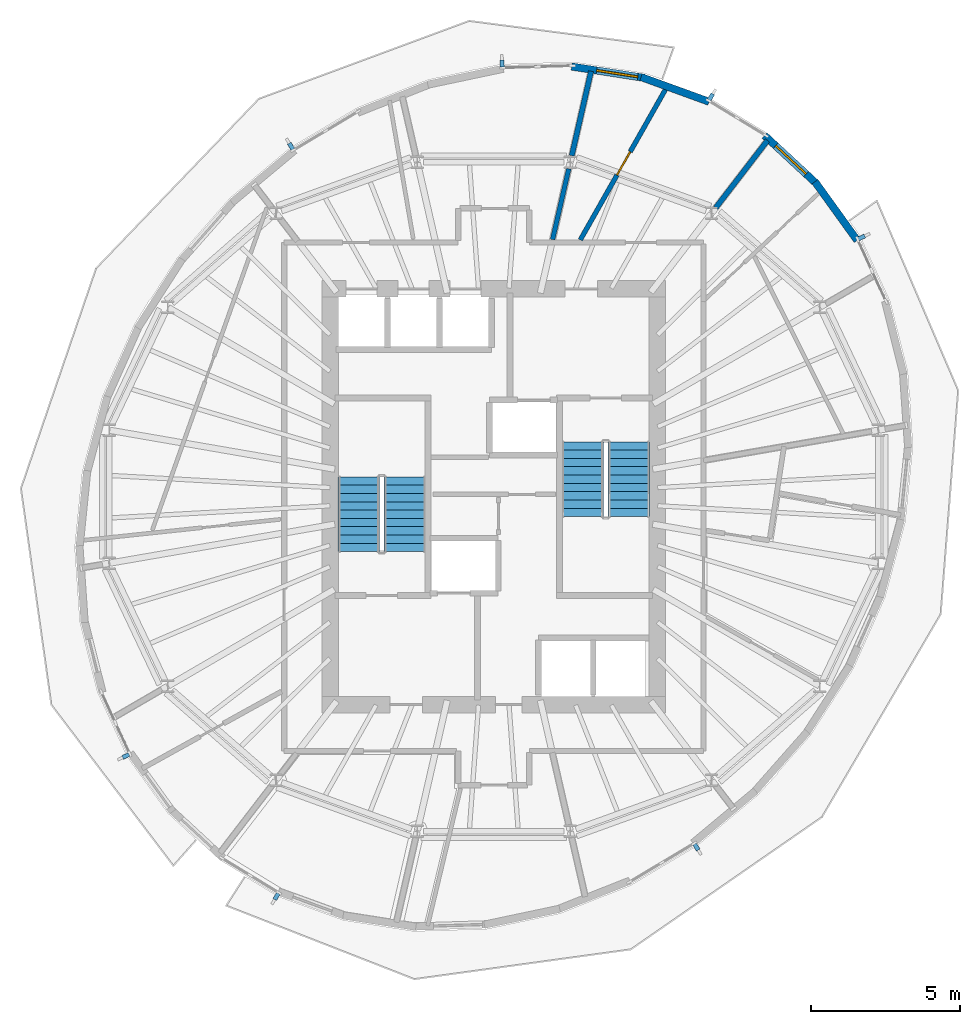
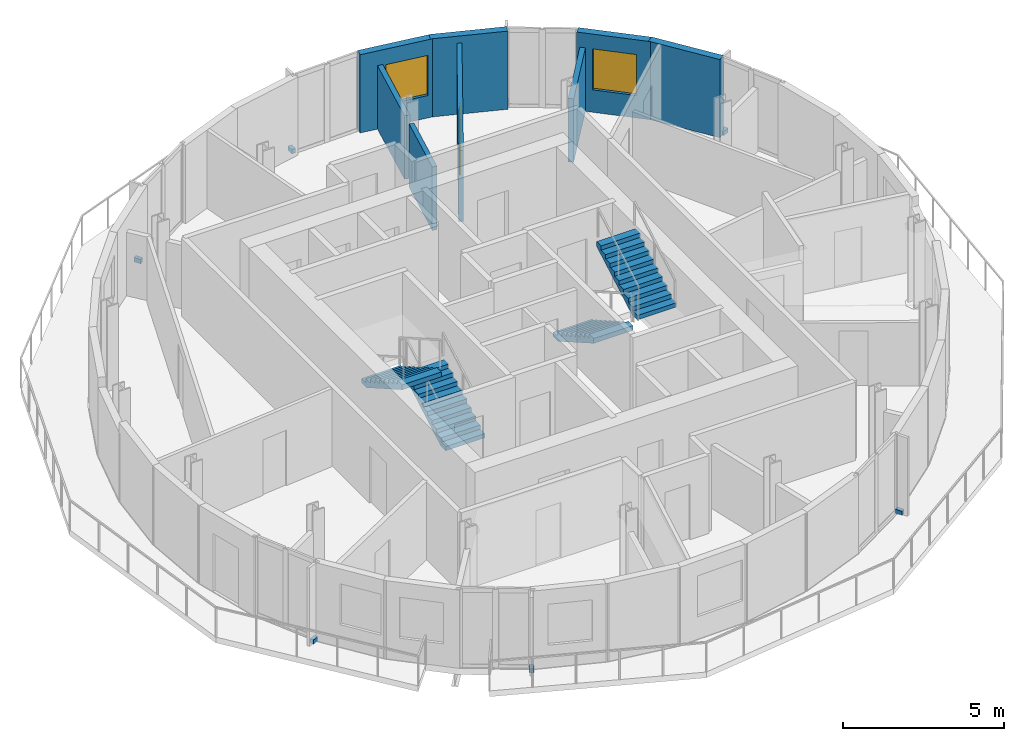
# One storey, part 7 of 11: 8 walls, 7 discrete accessories, 4 stair flights, 2 windows, 1 door, 3 openings, 2 elements without a shape of their own.
"""IFC4 building model written with IfcOpenShell, lengths in metres."""

from ifc_helpers import new_model, si_unit, direction, frame, frame_2d, origin, origin_2d, place, context, subcontext, project, spatial, polyline, rectangle, outline, extrude, material, layer, layer_set, type_object, element, fill, aggregate, save


model = new_model("IFC4")

# Units and contexts
model_context = context("Model", 3, precision=1e-05, world=origin(), true_north=direction((0.0, 1.0)))
body_context = subcontext(model_context, "Body", "Model", "MODEL_VIEW")
ifc_project = project(units=[si_unit("LENGTHUNIT", "METRE"), si_unit("AREAUNIT", "SQUARE_METRE"), si_unit("VOLUMEUNIT", "CUBIC_METRE"), si_unit("PLANEANGLEUNIT", "RADIAN"), si_unit("MASSUNIT", "GRAM", prefix="KILO")], contexts=[model_context])

# Site, building, storey
site_placement = place(None, origin())
site = spatial("IfcSite", under=ifc_project, at=site_placement, CompositionType="ELEMENT")
building_placement = place(site_placement, origin())
building = spatial("IfcBuilding", under=site, at=building_placement, Name="Veldorim Arch Residences", CompositionType="ELEMENT")
storey_placement = place(building_placement, frame((0.0, 0.0, 217.43994140625)))
storey = spatial("IfcBuildingStorey", under=building, at=storey_placement, Name="L65", CompositionType="ELEMENT", Elevation=217.43994140625)

# Walls
ifc_material_1 = material(Name="Lightweight Masonry Block & Gypsum", Category="masonry")
ifc_layer_1 = layer(ifc_material_1, 0.179931640625, Name="Compartment & Corridor Fire-Rated Party Wall 180")
ifc_layer_set_1 = layer_set([ifc_layer_1], Name="Lightweight Masonry Block & Gypsum")
wall_type_1 = type_object("IfcWallType", Name="Compartment & Corridor Fire-Rated Party Wall 180", PredefinedType="PARTITIONING", material=ifc_layer_set_1)
wall_1_placement = place(storey_placement, frame((39.473388671875, 33.727294921875, 0.0), z_axis=(0.0, 0.0, 1.0), x_axis=(0.609244614772, 0.792982344931, 0.0)))
element("IfcWall", 1, at=wall_1_placement, inside=storey, type_object=wall_type_1, Name="L65 interior wall WL-PIER-L65-03", PredefinedType="PARTITIONING", context=body_context, shape_type="SweptSolid", body=[
    extrude(rectangle(XDim=2.86083984375, YDim=0.179931640625, at=frame_2d((1.430419921875, 0.0))), origin(), (0.0, 0.0, 1.0), 2.403564453125),
])
wall_2_placement = place(storey_placement, frame((34.62646484375, 35.483154296875, 0.0), z_axis=(0.0, 0.0, 1.0), x_axis=(0.222945280676, 0.974830960641, 0.0)))
element("IfcWall", 2, at=wall_2_placement, inside=storey, type_object=wall_type_1, Name="L65 interior wall WL-PIER-L65-04", PredefinedType="PARTITIONING", context=body_context, shape_type="SweptSolid", body=[
    extrude(rectangle(XDim=2.916259765625, YDim=0.179931640625, at=frame_2d((1.4580078125, 0.0))), origin(), (0.0, 0.0, 1.0), 2.403564453125),
])
ifc_material_2 = material(Name="Precast concrete C40/50", Category="concrete")
ifc_layer_2 = layer(ifc_material_2, 0.25, Name="Tower Terracotta Spandrel & Pier Wall 250")
ifc_layer_set_2 = layer_set([ifc_layer_2], Name="Precast concrete C40/50")
wall_type_2 = type_object("IfcWallType", Name="Tower Terracotta Spandrel & Pier Wall 250", PredefinedType="SOLIDWALL", material=ifc_layer_set_2)
wall_3_placement = place(storey_placement, frame((36.960205078125, 38.1298828125, 0.0), z_axis=(0.0, 0.0, 1.0), x_axis=(0.939954186413, -0.341300640851, 0.0)))
element("IfcWall", 3, at=wall_3_placement, inside=storey, type_object=wall_type_2, Name="L65 terracotta facade wall 02", PredefinedType="SOLIDWALL", context=body_context, shape_type="SweptSolid", body=[
    extrude(rectangle(XDim=2.43701171875, YDim=0.25, at=frame_2d((1.218505859375, 0.0))), origin(), (0.0, 0.0, 1.0), 2.9599609375),
])

# Wall, opening, window
wall_4_placement = place(storey_placement, frame((34.622314453125, 38.483642578125, 0.0), z_axis=(0.0, 0.0, 1.0), x_axis=(0.988040195026, -0.154196540209, 0.0)))
wall_4 = element("IfcWall", 4, at=wall_4_placement, inside=storey, type_object=wall_type_2, Name="L65 terracotta facade wall 03", PredefinedType="SOLIDWALL", context=body_context, shape_type="SweptSolid", body=[
    extrude(rectangle(XDim=2.477783203125, YDim=0.25, at=frame_2d((1.23876953125, 0.0))), origin(), (0.0, 0.0, 1.0), 2.9599609375),
])
opening_1_placement = place(wall_4_placement, frame((0.85107421875, 0.0, 0.85009765625)))
opening_1 = element("IfcOpeningElement", 5, at=opening_1_placement, cuts=wall_4, Name="Opening WN-02", PredefinedType="OPENING", context=body_context, shape_type="SweptSolid", body=[
    extrude(rectangle(XDim=1.39990234375, YDim=1.52001953125, at=frame_2d((0.699951171875, 0.760009765625))), frame((0.0, 0.135009765625, 0.0), z_axis=(0.0, -1.0, 0.0), x_axis=(1.0, 0.0, 0.0)), (0.0, 0.0, 1.0), 0.27001953125),
])
ifc_material_3 = material(Name="Laminated Low-E Glass", Category="glass")
window_type = type_object("IfcWindowType", Name="Residential Casement Window 1400x1550", PartitioningType="SINGLE_PANEL", PredefinedType="WINDOW", material=ifc_material_3)
window_1_placement = place(opening_1_placement, origin())
window_1 = element("IfcWindow", 6, at=window_1_placement, inside=storey, type_object=window_type, Name="L65 solar-control facade window 03", OverallHeight=1.52001953125, OverallWidth=1.39990234375, PartitioningType="SINGLE_PANEL", PredefinedType="WINDOW", context=body_context, shape_type="SweptSolid", body=[
    extrude(rectangle(XDim=1.39990234375, YDim=1.52001953125, at=frame_2d((0.699951171875, 0.760009765625))), frame((0.0, 0.030029296875, 0.0), z_axis=(0.0, -1.0, 0.0), x_axis=(1.0, 0.0, 0.0)), (0.0, 0.0, 1.0), 0.06005859375),
])
fill(opening_1, window_1)

# Wall
wall_5_placement = place(storey_placement, frame((42.814208984375, 34.60546875, 0.0), z_axis=(0.0, 0.0, 1.0), x_axis=(0.584824573101, -0.811159798497, 0.0)))
element("IfcWall", 7, at=wall_5_placement, inside=storey, type_object=wall_type_2, Name="L65 terracotta facade wall 35", PredefinedType="SOLIDWALL", context=body_context, shape_type="SweptSolid", body=[
    extrude(rectangle(XDim=2.436767578125, YDim=0.25, at=frame_2d((1.21826171875, 0.0))), origin(), (0.0, 0.0, 1.0), 2.9599609375),
])

# Wall, opening, window
wall_6_placement = place(storey_placement, frame((41.118896484375, 36.1611328125, 0.0), z_axis=(0.0, 0.0, 1.0), x_axis=(0.733441361842, -0.679752726173, 0.0)))
wall_6 = element("IfcWall", 8, at=wall_6_placement, inside=storey, type_object=wall_type_2, Name="L65 terracotta facade wall 36", PredefinedType="SOLIDWALL", context=body_context, shape_type="SweptSolid", body=[
    extrude(rectangle(XDim=2.41455078125, YDim=0.25, at=frame_2d((1.207275390625, 0.0))), origin(), (0.0, 0.0, 1.0), 2.9599609375),
])
opening_2_placement = place(wall_6_placement, frame((0.507080078125, 0.0, 0.85009765625)))
opening_2 = element("IfcOpeningElement", 9, at=opening_2_placement, cuts=wall_6, Name="Opening WN-02", PredefinedType="OPENING", context=body_context, shape_type="SweptSolid", body=[
    extrude(rectangle(XDim=1.39990234375, YDim=1.550048828125, at=frame_2d((0.699951171875, 0.77490234375))), frame((0.0, 0.135009765625, 0.0), z_axis=(0.0, -1.0, 0.0), x_axis=(1.0, 0.0, 0.0)), (0.0, 0.0, 1.0), 0.27001953125),
])
window_2_placement = place(opening_2_placement, origin())
window_2 = element("IfcWindow", 10, at=window_2_placement, inside=storey, type_object=window_type, Name="L65 solar-control facade window 36", OverallHeight=1.550048828125, OverallWidth=1.39990234375, PartitioningType="SINGLE_PANEL", PredefinedType="WINDOW", context=body_context, shape_type="SweptSolid", body=[
    extrude(rectangle(XDim=1.39990234375, YDim=1.550048828125, at=frame_2d((0.699951171875, 0.77490234375))), frame((0.0, 0.030029296875, 0.0), z_axis=(0.0, -1.0, 0.0), x_axis=(1.0, 0.0, 0.0)), (0.0, 0.0, 1.0), 0.06005859375),
])
fill(opening_2, window_2)

# Wall, opening, door
ifc_material_4 = material(Name="Moisture-Resistant Gypsum & Stud", Category="gypsum")
ifc_layer_3 = layer(ifc_material_4, 0.159912109375, Name="Wet-Area Moisture-Resistant Plumbing Wall 160")
ifc_layer_set_3 = layer_set([ifc_layer_3], Name="Moisture-Resistant Gypsum & Stud")
wall_type_3 = type_object("IfcWallType", Name="Wet-Area Moisture-Resistant Plumbing Wall 160", PredefinedType="PLUMBINGWALL", material=ifc_layer_set_3)
wall_7_placement = place(storey_placement, frame((34.91357421875, 32.64697265625, 0.0), z_axis=(0.0, 0.0, 1.0), x_axis=(0.492777372346, 0.870155423648, 0.0)))
wall_7 = element("IfcWall", 11, at=wall_7_placement, inside=storey, type_object=wall_type_3, Name="L65 interior wall WL-RES-L65-022", PredefinedType="PLUMBINGWALL", context=body_context, shape_type="SweptSolid", body=[
    extrude(rectangle(XDim=5.91943359375, YDim=0.159912109375, at=frame_2d((2.959716796875, 0.0))), origin(), (0.0, 0.0, 1.0), 2.692138671875),
])
opening_3_placement = place(wall_7_placement, frame((2.509765625, 0.0, 0.0)))
opening_3 = element("IfcOpeningElement", 12, at=opening_3_placement, cuts=wall_7, Name="Opening DR-WC", PredefinedType="OPENING", context=body_context, shape_type="SweptSolid", body=[
    extrude(rectangle(XDim=0.89990234375, YDim=2.10009765625, at=frame_2d((0.449951171875, 1.050048828125))), frame((0.0, 0.08984375, 0.0), z_axis=(0.0, -1.0, 0.0), x_axis=(1.0, 0.0, 0.0)), (0.0, 0.0, 1.0), 0.179931640625),
])
ifc_material_5 = material(Name="Laminate Timber", Category="wood")
door_type = type_object("IfcDoorType", Name="Bathroom & Accessible WC Moisture-Sealed Door 900x2100", OperationType="SINGLE_SWING_LEFT", PredefinedType="DOOR", material=ifc_material_5)
door_placement = place(opening_3_placement, origin())
door = element("IfcDoor", 13, at=door_placement, inside=storey, type_object=door_type, Name="L65 interior door DR-RES-L65-008", OperationType="SINGLE_SWING_RIGHT", OverallHeight=2.10009765625, OverallWidth=0.89990234375, PredefinedType="DOOR", context=body_context, shape_type="SweptSolid", body=[
    extrude(rectangle(XDim=0.89990234375, YDim=2.10009765625, at=frame_2d((0.449951171875, 1.050048828125))), frame((0.0, 0.02490234375, 0.0), z_axis=(0.0, -1.0, 0.0), x_axis=(1.0, 0.0, 0.0)), (0.0, 0.0, 1.0), 0.050048828125),
])
fill(opening_3, door)

# Wall
wall_8_placement = place(storey_placement, frame((33.97998046875, 32.657470703125, 0.0), z_axis=(0.0, 0.0, 1.0), x_axis=(0.223006482474, 0.974816961678, 0.0)))
element("IfcWall", 14, at=wall_8_placement, inside=storey, type_object=wall_type_3, Name="L65 interior wall WL-RES-L65-024", PredefinedType="PLUMBINGWALL", context=body_context, shape_type="SweptSolid", body=[
    extrude(rectangle(XDim=2.444580078125, YDim=0.159912109375, at=frame_2d((1.22216796875, 0.0))), origin(), (0.0, 0.0, 1.0), 2.403564453125),
])

# Stair, stair flights
ifc_material_6 = material(Name="Concrete C40/50", Category="concrete")
stair_type = type_object("IfcStairType", Name="Reinforced Concrete Dogleg Exit Staircase", PredefinedType="HALF_TURN_STAIR", material=ifc_material_6)
stair_1_placement = place(storey_placement, origin())
stair_1 = element("IfcStair", 15, at=stair_1_placement, inside=storey, type_object=stair_type, Name="L65 Exit Staircase ST-1", PredefinedType="HALF_TURN_STAIR")
ifc_material_7 = material(Name="Concrete C40/50", Category="concrete")
stair_flight_type = type_object("IfcStairFlightType", Name="Reinforced Concrete Stair Flight 1400", PredefinedType="STRAIGHT", material=ifc_material_7)
stair_flight_1_placement = place(storey_placement, frame((29.010009765625, 22.14990234375, 0.0), z_axis=(0.0, 0.0, 1.0), x_axis=(0.0, 1.0, 0.0)))
stair_flight_1 = element("IfcStairFlight", 16, at=stair_flight_1_placement, type_object=stair_flight_type, Name="ST-1 flight 1", NumberOfRisers=10, NumberOfTreads=9, PredefinedType="STRAIGHT", RiserHeight=0.16, TreadLength=0.28, context=body_context, shape_type="SweptSolid", body=[
    extrude(outline(polyline([(0.0, 0.0), (0.0, 0.159912109375), (0.280029296875, 0.159912109375), (0.280029296875, 0.320068359375), (0.56005859375, 0.320068359375), (0.56005859375, 0.47998046875), (0.840087890625, 0.47998046875), (0.840087890625, 0.639892578125), (1.1201171875, 0.639892578125), (1.1201171875, 0.800048828125), (1.39990234375, 0.800048828125), (1.39990234375, 0.9599609375), (1.679931640625, 0.9599609375), (1.679931640625, 1.1201171875), (1.9599609375, 1.1201171875), (1.9599609375, 1.280029296875), (2.239990234375, 1.280029296875), (2.239990234375, 1.43994140625), (2.52001953125, 1.43994140625), (2.52001953125, 1.60009765625), (2.52001953125, 1.255859375), (0.322265625, 0.0), (0.0, 0.0)])), frame((0.0, 0.699951171875, 0.0), z_axis=(0.0, -1.0, 0.0), x_axis=(1.0, 0.0, 0.0)), (0.0, 0.0, 1.0), 1.39990234375),
])
stair_flight_2_placement = place(storey_placement, frame((27.449951171875, 24.669921875, 1.60009765625), z_axis=(0.0, 0.0, 1.0), x_axis=(0.0, -1.0, 0.0)))
stair_flight_2 = element("IfcStairFlight", 17, at=stair_flight_2_placement, type_object=stair_flight_type, Name="ST-1 flight 2", NumberOfRisers=10, NumberOfTreads=9, PredefinedType="STRAIGHT", RiserHeight=0.16, TreadLength=0.28, context=body_context, shape_type="SweptSolid", body=[
    extrude(outline(polyline([(0.0, 0.0), (0.0, 0.159912109375), (0.280029296875, 0.159912109375), (0.280029296875, 0.320068359375), (0.56005859375, 0.320068359375), (0.56005859375, 0.47998046875), (0.840087890625, 0.47998046875), (0.840087890625, 0.639892578125), (1.1201171875, 0.639892578125), (1.1201171875, 0.800048828125), (1.39990234375, 0.800048828125), (1.39990234375, 0.9599609375), (1.679931640625, 0.9599609375), (1.679931640625, 1.1201171875), (1.9599609375, 1.1201171875), (1.9599609375, 1.280029296875), (2.239990234375, 1.280029296875), (2.239990234375, 1.43994140625), (2.52001953125, 1.43994140625), (2.52001953125, 1.60009765625), (2.52001953125, 1.255859375), (0.322265625, 0.0), (0.0, 0.0)])), frame((0.0, 0.699951171875, 0.0), z_axis=(0.0, -1.0, 0.0), x_axis=(1.0, 0.0, 0.0)), (0.0, 0.0, 1.0), 1.39990234375),
])
aggregate(stair_1, [stair_flight_1, stair_flight_2])

stair_2_placement = place(storey_placement, origin())
stair_2 = element("IfcStair", 18, at=stair_2_placement, inside=storey, type_object=stair_type, Name="L65 Exit Staircase ST-2", PredefinedType="HALF_TURN_STAIR")
stair_flight_3_placement = place(storey_placement, frame((34.989990234375, 25.85009765625, 0.0), z_axis=(0.0, 0.0, 1.0), x_axis=(0.0, -1.0, 0.0)))
stair_flight_3 = element("IfcStairFlight", 19, at=stair_flight_3_placement, type_object=stair_flight_type, Name="ST-2 flight 1", NumberOfRisers=10, NumberOfTreads=9, PredefinedType="STRAIGHT", RiserHeight=0.16, TreadLength=0.28, context=body_context, shape_type="SweptSolid", body=[
    extrude(outline(polyline([(0.0, 0.0), (0.0, 0.159912109375), (0.280029296875, 0.159912109375), (0.280029296875, 0.320068359375), (0.56005859375, 0.320068359375), (0.56005859375, 0.47998046875), (0.840087890625, 0.47998046875), (0.840087890625, 0.639892578125), (1.1201171875, 0.639892578125), (1.1201171875, 0.800048828125), (1.39990234375, 0.800048828125), (1.39990234375, 0.9599609375), (1.679931640625, 0.9599609375), (1.679931640625, 1.1201171875), (1.9599609375, 1.1201171875), (1.9599609375, 1.280029296875), (2.239990234375, 1.280029296875), (2.239990234375, 1.43994140625), (2.52001953125, 1.43994140625), (2.52001953125, 1.60009765625), (2.52001953125, 1.255859375), (0.322265625, 0.0), (0.0, 0.0)])), frame((0.0, 0.699951171875, 0.0), z_axis=(0.0, -1.0, 0.0), x_axis=(1.0, 0.0, 0.0)), (0.0, 0.0, 1.0), 1.39990234375),
])
stair_flight_4_placement = place(storey_placement, frame((36.550048828125, 23.330078125, 1.60009765625), z_axis=(0.0, 0.0, 1.0), x_axis=(0.0, 1.0, 0.0)))
stair_flight_4 = element("IfcStairFlight", 20, at=stair_flight_4_placement, type_object=stair_flight_type, Name="ST-2 flight 2", NumberOfRisers=10, NumberOfTreads=9, PredefinedType="STRAIGHT", RiserHeight=0.16, TreadLength=0.28, context=body_context, shape_type="SweptSolid", body=[
    extrude(outline(polyline([(0.0, 0.0), (0.0, 0.159912109375), (0.280029296875, 0.159912109375), (0.280029296875, 0.320068359375), (0.56005859375, 0.320068359375), (0.56005859375, 0.47998046875), (0.840087890625, 0.47998046875), (0.840087890625, 0.639892578125), (1.1201171875, 0.639892578125), (1.1201171875, 0.800048828125), (1.39990234375, 0.800048828125), (1.39990234375, 0.9599609375), (1.679931640625, 0.9599609375), (1.679931640625, 1.1201171875), (1.9599609375, 1.1201171875), (1.9599609375, 1.280029296875), (2.239990234375, 1.280029296875), (2.239990234375, 1.43994140625), (2.52001953125, 1.43994140625), (2.52001953125, 1.60009765625), (2.52001953125, 1.255859375), (0.322265625, 0.0), (0.0, 0.0)])), frame((0.0, 0.699951171875, 0.0), z_axis=(0.0, -1.0, 0.0), x_axis=(1.0, 0.0, 0.0)), (0.0, 0.0, 1.0), 1.39990234375),
])
aggregate(stair_2, [stair_flight_3, stair_flight_4])

# Discrete accessories
ifc_material_8 = material(Name="Stainless Steel", Category="steel")
discrete_accessory_type = type_object("IfcDiscreteAccessoryType", Name="Stainless Steel Facade Fin Anchor Bracket", PredefinedType="BRACKET", material=ifc_material_8)
for number, where, z_axis, x_axis, name in (
    (21, (39.313232421875, 37.460693359375, -0.02001953125), (0.0, 0.0, 1.0), (0.854186693447, -0.519966434242, 0.0), "L65 stainless fin anchor bracket 01"),
    (22, (32.281005859375, 38.58349609375, -0.02001953125), (0.0, 0.0, 1.0), (0.99952286999, 0.030887414385, 0.0), "L65 stainless fin anchor bracket 04"),
    (23, (25.17626953125, 35.79541015625, -0.02001953125), (0.0, 0.0, 1.0), (0.858512728225, 0.512792253721, 0.0), "L65 stainless fin anchor bracket 07"),
    (24, (19.617919921875, 15.271484375, -0.02001953125), (0.0, 0.0, 1.0), (-0.418025632026, 0.908435232127, 0.0), "L65 stainless fin anchor bracket 16"),
    (25, (24.686767578125, 10.539306640625, -0.02001953125), (0.0, 0.0, 1.0), (-0.854186693447, 0.519966434242, 0.0), "L65 stainless fin anchor bracket 19"),
    (26, (38.82373046875, 12.20458984375, -0.02001953125), (0.0, 0.0, 1.0), (-0.858512728225, -0.512792253721, 0.0), "L65 stainless fin anchor bracket 25"),
    (27, (44.382080078125, 32.728515625, -0.02001953125), (0.0, 0.0, 1.0), (0.418025632026, -0.908435232127, 0.0), "L65 stainless fin anchor bracket 34"),
):
    element("IfcDiscreteAccessory", number, at=place(storey_placement, frame(where, z_axis=z_axis, x_axis=x_axis)), inside=storey, type_object=discrete_accessory_type, Name=name, PredefinedType="BRACKET", context=body_context, shape_type="SweptSolid", body=[
        extrude(rectangle(XDim=0.139892578125, YDim=0.239990234375, at=origin_2d()), origin(), (0.0, 0.0, 1.0), 0.159912109375),
    ])

save(model, "model.ifc")
